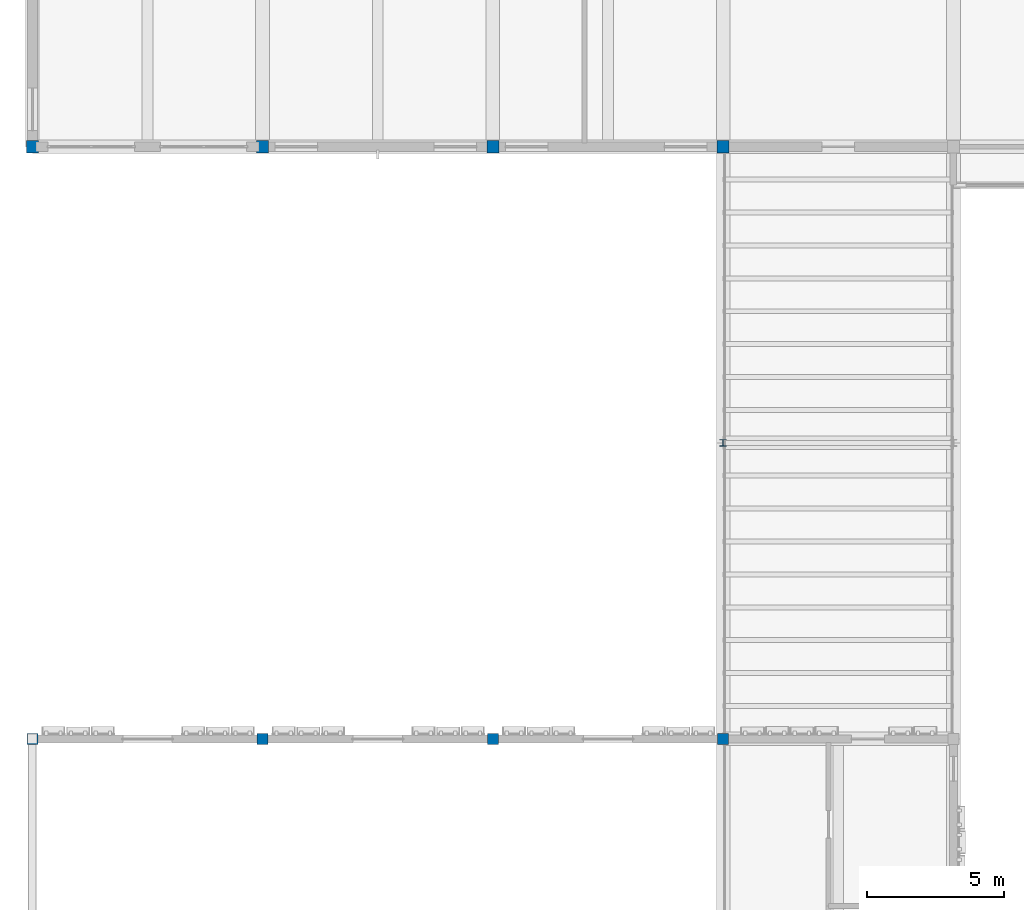
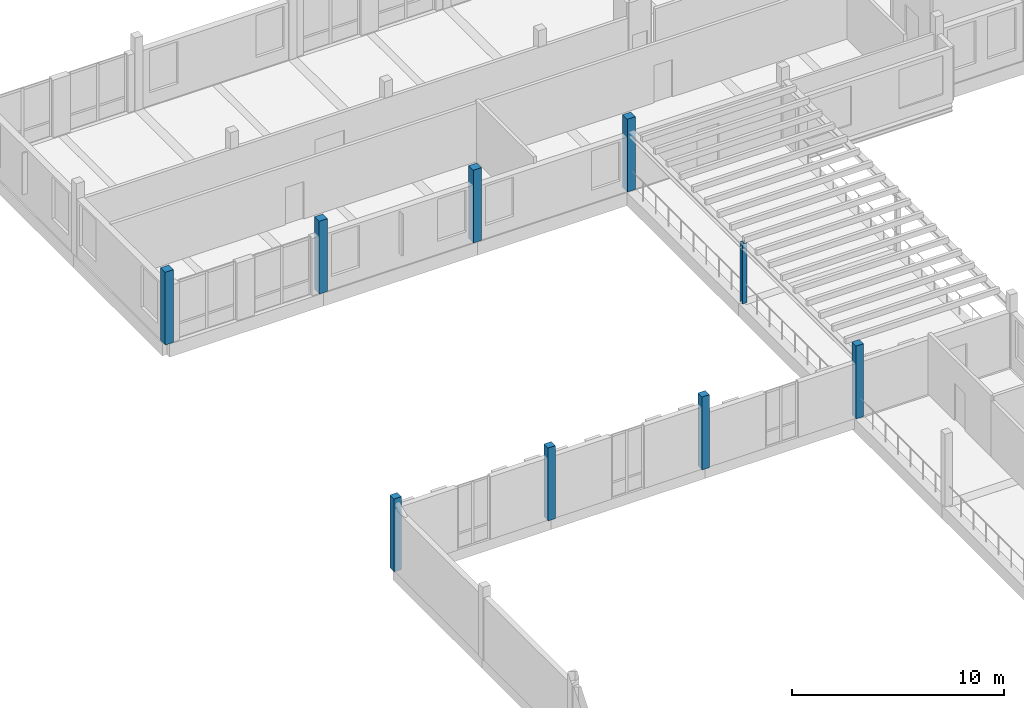
# One storey, part 6 of 99: 9 columns.
"""IFC4 building model written with IfcOpenShell, lengths in metres."""

from ifc_helpers import new_model, si_unit, direction, frame, origin, origin_2d, place, context, subcontext, project, spatial, rectangle, i_section, extrude, material, material_profile, profile_set, type_object, element, save


model = new_model("IFC4")

# Units and contexts
model_context = context("Model", 3, precision=1e-05, world=origin(), true_north=direction((0.0, 1.0)))
body_context = subcontext(model_context, "Body", "Model", "MODEL_VIEW")
ifc_project = project(units=[si_unit("LENGTHUNIT", "METRE"), si_unit("AREAUNIT", "SQUARE_METRE"), si_unit("VOLUMEUNIT", "CUBIC_METRE"), si_unit("PLANEANGLEUNIT", "RADIAN"), si_unit("MASSUNIT", "GRAM", prefix="KILO")], contexts=[model_context])

# Site, building, storey
site_placement = place(None, origin())
site = spatial("IfcSite", under=ifc_project, at=site_placement, CompositionType="ELEMENT")
building_placement = place(site_placement, origin())
building = spatial("IfcBuilding", under=site, at=building_placement, Name="Kahlenmark Community Centre", CompositionType="ELEMENT")
storey_placement = place(building_placement, frame((0.0, 0.0, 5.39990234375)))
storey = spatial("IfcBuildingStorey", under=building, at=storey_placement, Name="L01", CompositionType="ELEMENT", Elevation=5.39990234375)

# Columns
ifc_material_1 = material(Name="Glulam GL32h", Category="wood")
ifc_material_profile_1 = material_profile(ifc_material_1, rectangle(XDim=0.39990234375, YDim=0.39990234375, at=origin_2d()), Name="GL32h 400x400")
ifc_profile_set_1 = profile_set([ifc_material_profile_1], Name="Glulam GL32h")
column_type_1 = type_object("IfcColumnType", Name="CT-GL400", PredefinedType="COLUMN", material=ifc_profile_set_1)
for number, where, z_axis, x_axis, name in (
    (1, (4.0, 76.0, 0.0), (0.0, 0.0, 1.0), (1.0, 0.0, 0.0), "L01 column (4.0, 76.0)"),
    (2, (12.39990234375, 76.0, 0.0), (0.0, 0.0, 1.0), (1.0, 0.0, 0.0), "L01 column (12.4, 76.0)"),
    (3, (20.800048828125, 76.0, 0.0), (0.0, 0.0, 1.0), (1.0, 0.0, 0.0), "L01 column (20.8, 76.0)"),
    (4, (29.199951171875, 76.0, 0.0), (0.0, 0.0, 1.0), (1.0, 0.0, 0.0), "L01 column (29.2, 76.0)"),
):
    element("IfcColumn", number, at=place(storey_placement, frame(where, z_axis=z_axis, x_axis=x_axis)), inside=storey, type_object=column_type_1, Name=name, PredefinedType="COLUMN", context=body_context, shape_type="SweptSolid", body=[
        extrude(rectangle(XDim=0.39990234375, YDim=0.39990234375, at=origin_2d()), origin(), (0.0, 0.0, 1.0), 4.2001953125),
    ])
ifc_material_profile_2 = material_profile(ifc_material_1, rectangle(XDim=0.43994140625, YDim=0.43994140625, at=origin_2d()), Name="GL32h 440x440")
ifc_profile_set_2 = profile_set([ifc_material_profile_2], Name="Glulam GL32h")
column_type_2 = type_object("IfcColumnType", Name="CT-GL440", PredefinedType="COLUMN", material=ifc_profile_set_2)
for number, where, z_axis, x_axis, name in (
    (5, (4.0, 97.60009765625, 0.0), (0.0, 0.0, 1.0), (1.0, 0.0, 0.0), "L01 column (4.0, 97.6)"),
    (6, (12.39990234375, 97.60009765625, 0.0), (0.0, 0.0, 1.0), (1.0, 0.0, 0.0), "L01 column (12.4, 97.6)"),
    (7, (20.800048828125, 97.60009765625, 0.0), (0.0, 0.0, 1.0), (1.0, 0.0, 0.0), "L01 column (20.8, 97.6)"),
    (8, (29.199951171875, 97.60009765625, 0.0), (0.0, 0.0, 1.0), (1.0, 0.0, 0.0), "L01 column (29.2, 97.6)"),
):
    element("IfcColumn", number, at=place(storey_placement, frame(where, z_axis=z_axis, x_axis=x_axis)), inside=storey, type_object=column_type_2, Name=name, PredefinedType="COLUMN", context=body_context, shape_type="SweptSolid", body=[
        extrude(rectangle(XDim=0.43994140625, YDim=0.43994140625, at=origin_2d()), origin(), (0.0, 0.0, 1.0), 4.2001953125),
    ])
ifc_material_2 = material(Name="Steel S355", Category="steel")
ifc_material_profile_3 = material_profile(ifc_material_2, i_section(OverallWidth=0.239990234375, OverallDepth=0.239990234375, WebThickness=0.010009765625, FlangeThickness=0.01708984375, at=origin_2d()), Name="HEB 240")
ifc_profile_set_3 = profile_set([ifc_material_profile_3], Name="Steel S355")
column_type_3 = type_object("IfcColumnType", Name="CT-HEB240", PredefinedType="COLUMN", material=ifc_profile_set_3)
column_placement = place(storey_placement, frame((29.199951171875, 86.800048828125, 0.0), z_axis=(0.0, 0.0, 1.0), x_axis=(1.0, 0.0, 0.0)))
element("IfcColumn", 9, at=column_placement, inside=storey, type_object=column_type_3, Name="Terrace pergola column (29.2, 86.8)", PredefinedType="COLUMN", context=body_context, shape_type="SweptSolid", body=[
    extrude(i_section(OverallWidth=0.239990234375, OverallDepth=0.239990234375, WebThickness=0.010009765625, FlangeThickness=0.01708984375, at=origin_2d()), origin(), (0.0, 0.0, 1.0), 3.4501953125),
])

save(model, "model.ifc")
